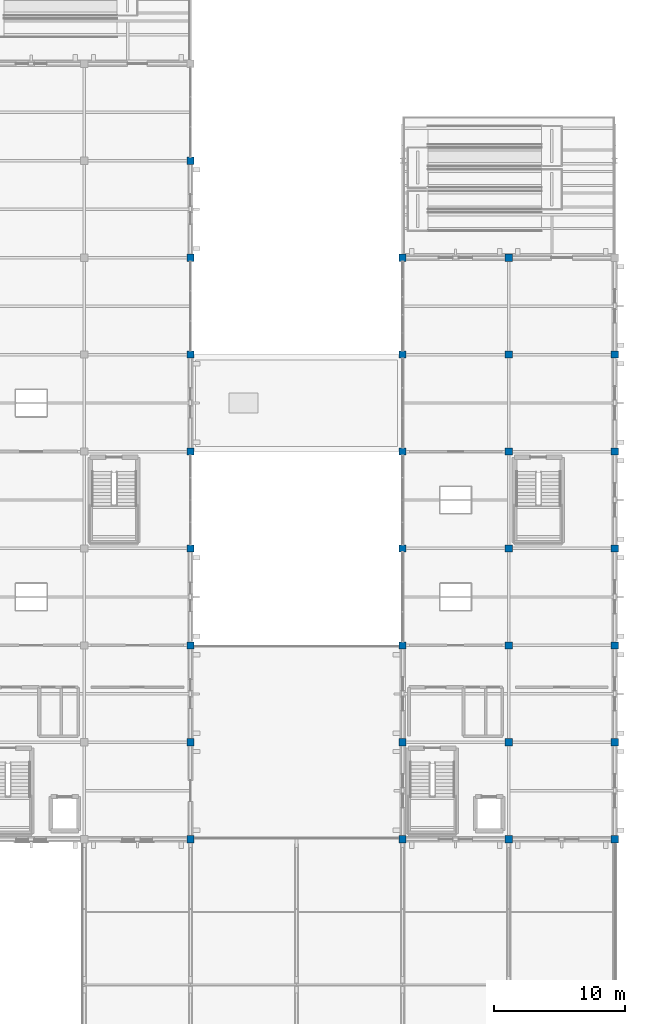
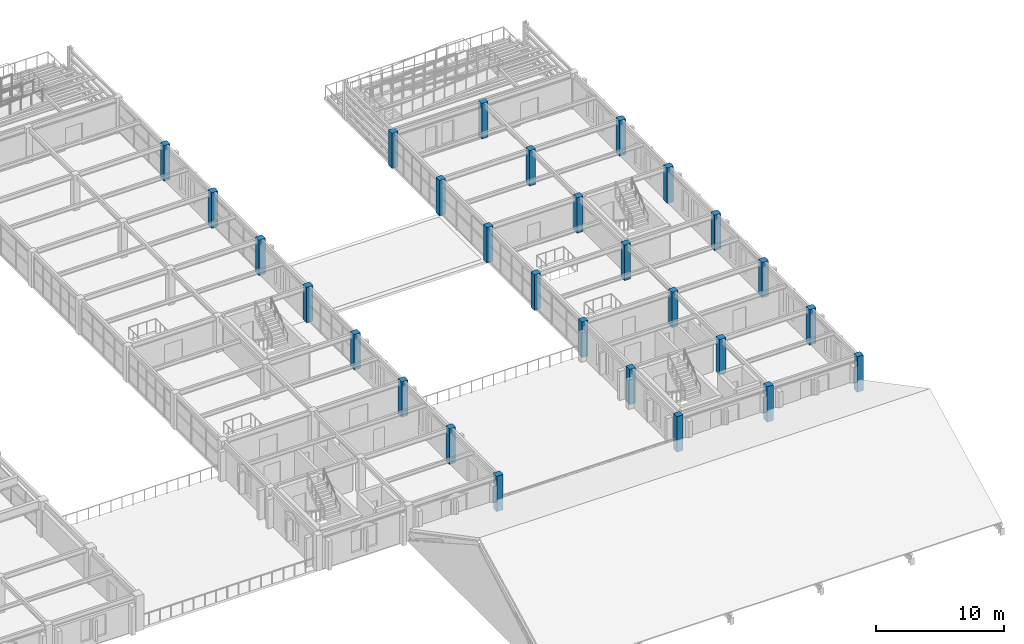
# One storey, part 6 of 121: 28 columns.
"""IFC4 building model written with IfcOpenShell, lengths in metres."""

import ifcopenshell
import ifcopenshell.guid

model = None  # the IFC model being written
_history = None  # IfcOwnerHistory: only IFC2X3 demands one
_inside = {}  # id of a spatial element -> (the spatial element, [elements in it])
_under = {}  # id of a project, library or spatial element -> (it, [spatial elements below it])
_declared = {}  # id of a project -> (the project, [libraries it declares])
_typed = {}  # id of a type object -> (the type object, [elements of that type])
_made_of = {}  # id of a material, layer set ... -> (it, [elements and type objects made of it])


def new_model(schema):
    """Start an empty IFC model of exactly this schema.

    Asked for "IFC4X3", IfcOpenShell would pick the latest addendum, in which some entities
    have other attributes; the version numbers below select the first issue.
    IFC2X3 requires an IfcOwnerHistory on every rooted entity: one is made here for all.
    """
    global model, _history
    if schema == "IFC4X3":
        model = ifcopenshell.file(schema_version=(4, 3, 0, 0))
    else:
        model = ifcopenshell.file(schema=schema)
    _inside.clear()
    _under.clear()
    _declared.clear()
    _typed.clear()
    _made_of.clear()
    _history = None
    if model.schema == "IFC2X3":
        org = make("IfcOrganization", Name="unknown")
        user = make(
            "IfcPersonAndOrganization",
            ThePerson=make("IfcPerson", FamilyName="unknown"),
            TheOrganization=org,
        )
        app = make(
            "IfcApplication",
            ApplicationDeveloper=org,
            Version="unknown",
            ApplicationFullName="unknown",
            ApplicationIdentifier="unknown",
        )
        _history = make(
            "IfcOwnerHistory",
            OwningUser=user,
            OwningApplication=app,
            ChangeAction="ADDED",
            CreationDate=0,
        )
    return model


def make(cls, **values):
    """One entity of the class cls with the attributes given. An attribute that is None is left unset."""
    return model.create_entity(
        cls, **{name: value for name, value in values.items() if value is not None}
    )


def rooted(cls, **values):
    """An entity with a GlobalId (a new one), such as an element, a storey or a relation."""
    return make(cls, GlobalId=ifcopenshell.guid.new(), OwnerHistory=_history, **values)


def si_unit(unit_type, name, prefix=None):
    """IfcSIUnit, for example si_unit("LENGTHUNIT", "METRE", prefix="MILLI")."""
    return make("IfcSIUnit", UnitType=unit_type, Prefix=prefix, Name=name)


def assignment(units):
    """IfcUnitAssignment: the units of a project."""
    return None if units is None else make("IfcUnitAssignment", Units=units)


def point(xyz):
    """IfcCartesianPoint."""
    return None if xyz is None else make("IfcCartesianPoint", Coordinates=xyz)


def direction(xyz):
    """IfcDirection."""
    return None if xyz is None else make("IfcDirection", DirectionRatios=xyz)


def frame(location, z_axis=None, x_axis=None):
    """IfcAxis2Placement3D, a coordinate frame: its origin and axes. An axis left out is left unset."""
    return make(
        "IfcAxis2Placement3D",
        Location=point(location),
        Axis=direction(z_axis),
        RefDirection=direction(x_axis),
    )


def frame_2d(location, x_axis=None):
    """IfcAxis2Placement2D, a coordinate frame in the plane: its origin and x axis."""
    return make(
        "IfcAxis2Placement2D", Location=point(location), RefDirection=direction(x_axis)
    )


def origin():
    """The frame at (0, 0, 0) with its axes left unset."""
    return frame((0.0, 0.0, 0.0))


def origin_2d():
    """The frame at (0, 0) in the plane with its x axis left unset."""
    return frame_2d((0.0, 0.0))


def place(relative_to, where):
    """IfcLocalPlacement: puts the frame where relative to a parent placement (None: the world)."""
    return make(
        "IfcLocalPlacement", PlacementRelTo=relative_to, RelativePlacement=where
    )


def context(
    kind, dimensions, precision=None, world=None, true_north=None, identifier=None
):
    """IfcGeometricRepresentationContext, for example the 3D "Model" context."""
    return make(
        "IfcGeometricRepresentationContext",
        ContextIdentifier=identifier,
        ContextType=kind,
        CoordinateSpaceDimension=dimensions,
        Precision=precision,
        WorldCoordinateSystem=world,
        TrueNorth=true_north,
    )


def subcontext(parent, identifier, kind, view, scale=None):
    """IfcGeometricRepresentationSubContext, for example "Body" below "Model"."""
    return make(
        "IfcGeometricRepresentationSubContext",
        ContextIdentifier=identifier,
        ContextType=kind,
        ParentContext=parent,
        TargetScale=scale,
        TargetView=view,
    )


def project(units=None, contexts=None):
    """IfcProject with its units and contexts."""
    return rooted(
        "IfcProject",
        Name="project",
        RepresentationContexts=contexts,
        UnitsInContext=assignment(units),
    )


def spatial(cls, under=None, at=None, **own):
    """A site, building, storey or space (cls), placed at a placement, below another one or the project."""
    s = rooted(cls, ObjectPlacement=at, **own)
    if under is not None:
        _under.setdefault(under.id(), (under, []))[1].append(s)
    return s


def profile(cls, at=None, kind="AREA", **sizes):
    """A parametric profile (cls). Its sizes go by their IFC names, for example OverallWidth=200.0."""
    return make(cls, ProfileType=kind, Position=at, **sizes)


def rectangle(**sizes):
    """IfcRectangleProfileDef."""
    return profile("IfcRectangleProfileDef", **sizes)


def extrude(swept, where, along, depth):
    """IfcExtrudedAreaSolid: the profile swept, set in the frame where, extruded along a direction by depth."""
    return make(
        "IfcExtrudedAreaSolid",
        SweptArea=swept,
        Position=where,
        ExtrudedDirection=direction(along),
        Depth=depth,
    )


def shape(context_of_items, identifier, shape_type, items):
    """IfcShapeRepresentation: the items that make up one representation, for example the "Body"."""
    return make(
        "IfcShapeRepresentation",
        ContextOfItems=context_of_items,
        RepresentationIdentifier=identifier,
        RepresentationType=shape_type,
        Items=items,
    )


def material(Name=None, Category=None):
    """IfcMaterial."""
    return make("IfcMaterial", Name=Name, Category=Category)


def material_profile(
    of_material, cross_section, Name=None, Category=None, Priority=None
):
    """IfcMaterialProfile: a cross section and its material."""
    return make(
        "IfcMaterialProfile",
        Name=Name,
        Material=of_material,
        Profile=cross_section,
        Priority=Priority,
        Category=Category,
    )


def profile_set(profiles, Name=None, composite=None):
    """IfcMaterialProfileSet."""
    return make(
        "IfcMaterialProfileSet",
        Name=Name,
        MaterialProfiles=profiles,
        CompositeProfile=composite,
    )


def made_of(thing, what):
    """Note that an element or type object is made of a material, layer set ...; save() writes the relation."""
    if what is not None:
        _made_of.setdefault(what.id(), (what, []))[1].append(thing)
    return thing


def type_object(cls, material=None, **own):
    """A type object (cls), such as IfcWallType, which elements share."""
    return made_of(rooted(cls, **own), material)


def element(
    cls,
    number,
    at=None,
    inside=None,
    cuts=None,
    type_object=None,
    material=None,
    context=None,
    identifier="Body",
    shape_type=None,
    held_by="IfcProductDefinitionShape",
    body=None,
    shapes=None,
    **own,
):
    """One element of the class cls, such as IfcWall. Its Tag is "e" and its number.

    at: its placement. inside: the storey or other place that contains it. cuts: it is an
    opening in that element (IfcRelVoidsElement). A single representation is given by context,
    identifier, shape_type and body (its items); several are given by shapes. held_by: the class
    of the entity that holds the representations. save() writes the other relations.
    """
    e = rooted(cls, Tag="e%d" % number, ObjectPlacement=at, **own)
    if body is not None:
        shapes = [shape(context, identifier, shape_type, body)]
    if shapes is not None:
        e.Representation = make(held_by, Representations=shapes)
    if inside is not None:
        _inside.setdefault(inside.id(), (inside, []))[1].append(e)
    if cuts is not None:
        rooted(
            "IfcRelVoidsElement", RelatingBuildingElement=cuts, RelatedOpeningElement=e
        )
    if type_object is not None:
        _typed.setdefault(type_object.id(), (type_object, []))[1].append(e)
    return made_of(e, material)


def aggregate(whole, parts):
    """IfcRelAggregates: a whole, such as a stair, and the parts it consists of."""
    return rooted("IfcRelAggregates", RelatingObject=whole, RelatedObjects=parts)


def save(model, path):
    """Write the relations noted so far, then the file.

    IfcRelAggregates (storeys below a building ...), IfcRelContainedInSpatialStructure (elements
    in a storey), IfcRelDefinesByType, IfcRelAssociatesMaterial and IfcRelDeclares: one each for
    every whole, place, type object, material and project.
    """
    for whole, parts in _under.values():
        aggregate(whole, parts)
    for where, things in _inside.values():
        rooted(
            "IfcRelContainedInSpatialStructure",
            RelatedElements=things,
            RelatingStructure=where,
        )
    for kind, things in _typed.values():
        rooted("IfcRelDefinesByType", RelatedObjects=things, RelatingType=kind)
    for what, things in _made_of.values():
        rooted("IfcRelAssociatesMaterial", RelatedObjects=things, RelatingMaterial=what)
    for by, libraries in _declared.values():
        rooted("IfcRelDeclares", RelatingContext=by, RelatedDefinitions=libraries)
    model.write(path)


model = new_model("IFC4")

# Units and contexts
model_context = context("Model", 3, precision=1e-05, world=origin(), true_north=direction((0.0, 1.0)))
body_context = subcontext(model_context, "Body", "Model", "MODEL_VIEW")
ifc_project = project(units=[si_unit("LENGTHUNIT", "METRE"), si_unit("AREAUNIT", "SQUARE_METRE"), si_unit("VOLUMEUNIT", "CUBIC_METRE"), si_unit("PLANEANGLEUNIT", "RADIAN"), si_unit("MASSUNIT", "GRAM", prefix="KILO")], contexts=[model_context])

# Site, building, storey
site_placement = place(None, origin())
site = spatial("IfcSite", under=ifc_project, at=site_placement, CompositionType="ELEMENT")
building_placement = place(site_placement, origin())
building = spatial("IfcBuilding", under=site, at=building_placement, Name="Cimatlan Art Gallery", CompositionType="ELEMENT")
storey_placement = place(building_placement, frame((0.0, 0.0, 10.199951171875)))
storey = spatial("IfcBuildingStorey", under=building, at=storey_placement, Name="L02", CompositionType="ELEMENT", Elevation=10.199951171875)

# Columns
ifc_material = material(Name="Concrete C45/55", Category="concrete")
ifc_material_profile = material_profile(ifc_material, rectangle(XDim=0.550048828125, YDim=0.550048828125, at=origin_2d()), Name="RC550X550")
ifc_profile_set = profile_set([ifc_material_profile], Name="Concrete C45/55")
column_type = type_object("IfcColumnType", Name="COL-RC-550", PredefinedType="COLUMN", material=ifc_profile_set)
for number, where, z_axis, x_axis, name in (
    (1, (131.60009765625, 23.89990234375, 0.0), (0.0, 0.0, 1.0), (1.0, 0.0, 0.0), "COL-L02-16-03"),
    (2, (131.60009765625, 31.300048828125, 0.0), (0.0, 0.0, 1.0), (1.0, 0.0, 0.0), "COL-L02-16-04"),
    (3, (131.60009765625, 38.699951171875, 0.0), (0.0, 0.0, 1.0), (1.0, 0.0, 0.0), "COL-L02-16-05"),
    (4, (131.60009765625, 46.10009765625, 0.0), (0.0, 0.0, 1.0), (1.0, 0.0, 0.0), "COL-L02-16-06"),
    (5, (131.60009765625, 53.5, 0.0), (0.0, 0.0, 1.0), (1.0, 0.0, 0.0), "COL-L02-16-07"),
    (6, (131.60009765625, 60.89990234375, 0.0), (0.0, 0.0, 1.0), (1.0, 0.0, 0.0), "COL-L02-16-08"),
    (7, (131.60009765625, 68.300048828125, 0.0), (0.0, 0.0, 1.0), (1.0, 0.0, 0.0), "COL-L02-16-09"),
    (8, (131.60009765625, 75.699951171875, 0.0), (0.0, 0.0, 1.0), (1.0, 0.0, 0.0), "COL-L02-16-10"),
    (9, (147.800048828125, 23.89990234375, 0.0), (0.0, 0.0, 1.0), (1.0, 0.0, 0.0), "COL-L02-18-03"),
    (10, (147.800048828125, 31.300048828125, 0.0), (0.0, 0.0, 1.0), (1.0, 0.0, 0.0), "COL-L02-18-04"),
    (11, (147.800048828125, 38.699951171875, 0.0), (0.0, 0.0, 1.0), (1.0, 0.0, 0.0), "COL-L02-18-05"),
    (12, (147.800048828125, 46.10009765625, 0.0), (0.0, 0.0, 1.0), (1.0, 0.0, 0.0), "COL-L02-18-06"),
    (13, (147.800048828125, 53.5, 0.0), (0.0, 0.0, 1.0), (1.0, 0.0, 0.0), "COL-L02-18-07"),
    (14, (147.800048828125, 60.89990234375, 0.0), (0.0, 0.0, 1.0), (1.0, 0.0, 0.0), "COL-L02-18-08"),
    (15, (147.800048828125, 68.300048828125, 0.0), (0.0, 0.0, 1.0), (1.0, 0.0, 0.0), "COL-L02-18-09"),
    (16, (155.89990234375, 23.89990234375, 0.0), (0.0, 0.0, 1.0), (1.0, 0.0, 0.0), "COL-L02-19-03"),
    (17, (155.89990234375, 31.300048828125, 0.0), (0.0, 0.0, 1.0), (1.0, 0.0, 0.0), "COL-L02-19-04"),
    (18, (155.89990234375, 38.699951171875, 0.0), (0.0, 0.0, 1.0), (1.0, 0.0, 0.0), "COL-L02-19-05"),
    (19, (155.89990234375, 46.10009765625, 0.0), (0.0, 0.0, 1.0), (1.0, 0.0, 0.0), "COL-L02-19-06"),
    (20, (155.89990234375, 53.5, 0.0), (0.0, 0.0, 1.0), (1.0, 0.0, 0.0), "COL-L02-19-07"),
    (21, (155.89990234375, 60.89990234375, 0.0), (0.0, 0.0, 1.0), (1.0, 0.0, 0.0), "COL-L02-19-08"),
    (22, (155.89990234375, 68.300048828125, 0.0), (0.0, 0.0, 1.0), (1.0, 0.0, 0.0), "COL-L02-19-09"),
    (23, (164.0, 23.89990234375, 0.0), (0.0, 0.0, 1.0), (1.0, 0.0, 0.0), "COL-L02-20-03"),
    (24, (164.0, 31.300048828125, 0.0), (0.0, 0.0, 1.0), (1.0, 0.0, 0.0), "COL-L02-20-04"),
    (25, (164.0, 38.699951171875, 0.0), (0.0, 0.0, 1.0), (1.0, 0.0, 0.0), "COL-L02-20-05"),
    (26, (164.0, 46.10009765625, 0.0), (0.0, 0.0, 1.0), (1.0, 0.0, 0.0), "COL-L02-20-06"),
    (27, (164.0, 53.5, 0.0), (0.0, 0.0, 1.0), (1.0, 0.0, 0.0), "COL-L02-20-07"),
    (28, (164.0, 60.89990234375, 0.0), (0.0, 0.0, 1.0), (1.0, 0.0, 0.0), "COL-L02-20-08"),
):
    element("IfcColumn", number, at=place(storey_placement, frame(where, z_axis=z_axis, x_axis=x_axis)), inside=storey, type_object=column_type, Name=name, PredefinedType="COLUMN", context=body_context, shape_type="SweptSolid", body=[
        extrude(rectangle(XDim=0.550048828125, YDim=0.550048828125, at=origin_2d()), origin(), (0.0, 0.0, 1.0), 3.3701171875),
    ])

save(model, "model.ifc")
